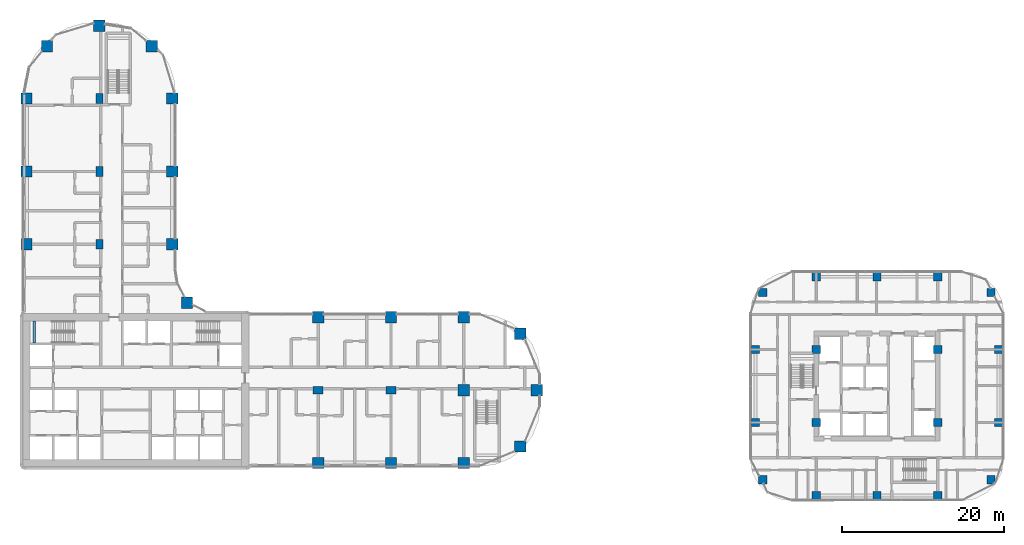
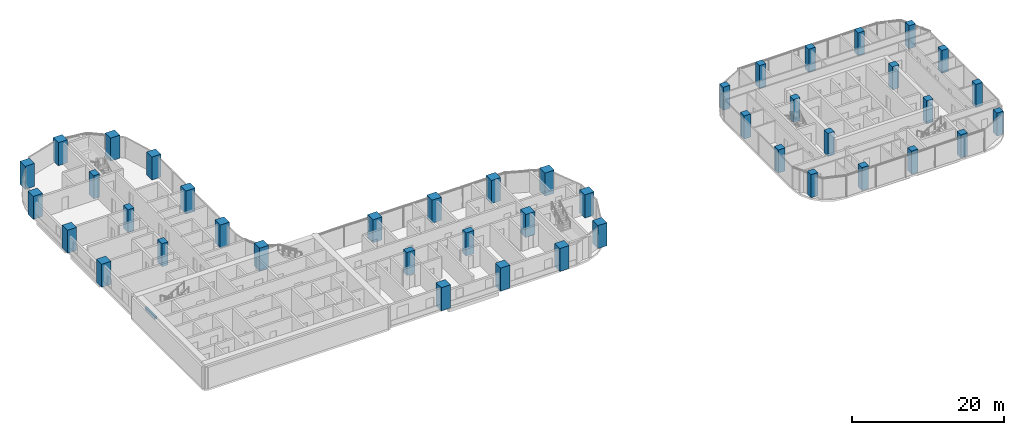
# One storey, part 1 of 31: 43 columns, 1 beam.
"""IFC4 building model written with IfcOpenShell, lengths in metres."""

from ifc_helpers import new_model, si_unit, direction, frame, origin, origin_2d, place, context, subcontext, project, spatial, rectangle, extrude, material, material_profile, profile_set, type_object, element, save


model = new_model("IFC4")

# Units and contexts
model_context = context("Model", 3, precision=1e-05, world=origin(), true_north=direction((0.0, 1.0)))
body_context = subcontext(model_context, "Body", "Model", "MODEL_VIEW")
ifc_project = project(units=[si_unit("LENGTHUNIT", "METRE"), si_unit("AREAUNIT", "SQUARE_METRE"), si_unit("VOLUMEUNIT", "CUBIC_METRE"), si_unit("PLANEANGLEUNIT", "RADIAN"), si_unit("MASSUNIT", "GRAM", prefix="KILO")], contexts=[model_context])

# Site, building, storey
site_placement = place(None, origin())
site = spatial("IfcSite", under=ifc_project, at=site_placement, CompositionType="ELEMENT")
building_placement = place(site_placement, origin())
building = spatial("IfcBuilding", under=site, at=building_placement, Name="Ogive Portal Towers", CompositionType="ELEMENT")
storey_placement = place(building_placement, frame((0.0, 0.0, 40.89990234375)))
storey = spatial("IfcBuildingStorey", under=building, at=storey_placement, Name="L08", CompositionType="ELEMENT", Elevation=40.89990234375)

# Columns
ifc_material_1 = material(Name="Concrete C60/75", Category="concrete")
ifc_material_profile_1 = material_profile(ifc_material_1, rectangle(XDim=1.0, YDim=1.0, at=origin_2d()), Name="RC 1000x1000")
ifc_profile_set_1 = profile_set([ifc_material_profile_1], Name="Concrete C60/75")
column_type_1 = type_object("IfcColumnType", Name="COLUMN RC 1000x1000", PredefinedType="COLUMN", material=ifc_profile_set_1)
for number, where, z_axis, x_axis, name in (
    (1, (129.0, 17.5, 0.0), (0.0, 0.0, 1.0), (1.0, 0.0, 0.0), "Column 12/H L08"),
    (2, (136.5, 17.5, 0.0), (0.0, 0.0, 1.0), (1.0, 0.0, 0.0), "Column 13/H L08"),
    (3, (144.0, 17.5, 0.0), (0.0, 0.0, 1.0), (1.0, 0.0, 0.0), "Column 14/H L08"),
    (4, (122.40087890625, 19.44189453125, 0.0), (0.0, 0.0, 1.0), (1.0, 0.0, 0.0), "Column L08"),
    (5, (150.59912109375, 19.44189453125, 0.0), (0.0, 0.0, 1.0), (1.0, 0.0, 0.0), "Column L08"),
    (6, (121.5, 26.5, 0.0), (0.0, 0.0, 1.0), (1.0, 0.0, 0.0), "Column 11/J L08"),
    (7, (129.0, 26.5, 0.0), (0.0, 0.0, 1.0), (1.0, 0.0, 0.0), "Column 12/J L08"),
    (8, (144.0, 26.5, 0.0), (0.0, 0.0, 1.0), (1.0, 0.0, 0.0), "Column 14/J L08"),
    (9, (151.5, 26.5, 0.0), (0.0, 0.0, 1.0), (1.0, 0.0, 0.0), "Column 15/J L08"),
    (10, (121.5, 35.5, 0.0), (0.0, 0.0, 1.0), (1.0, 0.0, 0.0), "Column 11/K L08"),
    (11, (129.0, 35.5, 0.0), (0.0, 0.0, 1.0), (1.0, 0.0, 0.0), "Column 12/K L08"),
    (12, (144.0, 35.5, 0.0), (0.0, 0.0, 1.0), (1.0, 0.0, 0.0), "Column 14/K L08"),
    (13, (151.5, 35.5, 0.0), (0.0, 0.0, 1.0), (1.0, 0.0, 0.0), "Column 15/K L08"),
    (14, (122.40087890625, 42.55810546875, 0.0), (0.0, 0.0, 1.0), (1.0, 0.0, 0.0), "Column L08"),
    (15, (150.59912109375, 42.55810546875, 0.0), (0.0, 0.0, 1.0), (1.0, 0.0, 0.0), "Column L08"),
    (16, (129.0, 44.5, 0.0), (0.0, 0.0, 1.0), (1.0, 0.0, 0.0), "Column 12/L L08"),
    (17, (136.5, 44.5, 0.0), (0.0, 0.0, 1.0), (1.0, 0.0, 0.0), "Column 13/L L08"),
    (18, (144.0, 44.5, 0.0), (0.0, 0.0, 1.0), (1.0, 0.0, 0.0), "Column 14/L L08"),
):
    element("IfcColumn", number, at=place(storey_placement, frame(where, z_axis=z_axis, x_axis=x_axis)), inside=storey, type_object=column_type_1, Name=name, PredefinedType="COLUMN", context=body_context, shape_type="SweptSolid", body=[
        extrude(rectangle(XDim=1.0, YDim=1.0, at=origin_2d()), origin(), (0.0, 0.0, 1.0), 3.7001953125),
    ])
ifc_material_profile_2 = material_profile(ifc_material_1, rectangle(XDim=1.199951171875, YDim=0.89990234375, at=origin_2d()), Name="RC 1200x900")
ifc_profile_set_2 = profile_set([ifc_material_profile_2], Name="Concrete C60/75")
column_type_2 = type_object("IfcColumnType", Name="COLUMN RC 1200x900", PredefinedType="COLUMN", material=ifc_profile_set_2)
for number, where, z_axis, x_axis, name in (
    (19, (67.5, 30.5, 0.0), (0.0, 0.0, 1.0), (1.0, 0.0, 0.0), "Column 5/B L08"),
    (20, (76.5, 30.5, 0.0), (0.0, 0.0, 1.0), (1.0, 0.0, 0.0), "Column 6/B L08"),
    (21, (40.5, 48.5, 0.0), (0.0, 0.0, 1.0), (0.0, 1.0, 0.0), "Column 2/D L08"),
    (22, (40.5, 57.5, 0.0), (0.0, 0.0, 1.0), (0.0, 1.0, 0.0), "Column 2/E L08"),
    (23, (40.5, 66.5, 0.0), (0.0, 0.0, 1.0), (0.0, 1.0, 0.0), "Column 2/F L08"),
):
    element("IfcColumn", number, at=place(storey_placement, frame(where, z_axis=z_axis, x_axis=x_axis)), inside=storey, type_object=column_type_2, Name=name, PredefinedType="COLUMN", context=body_context, shape_type="SweptSolid", body=[
        extrude(rectangle(XDim=1.199951171875, YDim=0.89990234375, at=origin_2d()), origin(), (0.0, 0.0, 1.0), 3.7001953125),
    ])
ifc_material_profile_3 = material_profile(ifc_material_1, rectangle(XDim=1.39990234375, YDim=1.39990234375, at=origin_2d()), Name="RC 1400x1400")
ifc_profile_set_3 = profile_set([ifc_material_profile_3], Name="Concrete C60/75")
column_type_3 = type_object("IfcColumnType", Name="COLUMN RC 1400x1400", PredefinedType="COLUMN", material=ifc_profile_set_3)
for number, where, z_axis, x_axis, name in (
    (24, (67.5, 21.5, 0.0), (0.0, 0.0, 1.0), (1.0, 0.0, 0.0), "Column 5/A L08"),
    (25, (76.5, 21.5, 0.0), (0.0, 0.0, 1.0), (1.0, 0.0, 0.0), "Column 6/A L08"),
    (26, (85.5, 21.5, 0.0), (0.0, 0.0, 1.0), (1.0, 0.0, 0.0), "Column 7/A L08"),
    (27, (92.449951171875, 23.550048828125, 0.0), (0.0, 0.0, 1.0), (1.0, 0.0, 0.0), "Column L08"),
    (28, (85.5, 30.5, 0.0), (0.0, 0.0, 1.0), (1.0, 0.0, 0.0), "Column 7/B L08"),
    (29, (94.5, 30.5, 0.0), (0.0, 0.0, 1.0), (1.0, 0.0, 0.0), "Column 8/B L08"),
    (30, (92.449951171875, 37.449951171875, 0.0), (0.0, 0.0, 1.0), (1.0, 0.0, 0.0), "Column L08"),
    (31, (67.5, 39.5, 0.0), (0.0, 0.0, 1.0), (1.0, 0.0, 0.0), "Column 5/C L08"),
    (32, (76.5, 39.5, 0.0), (0.0, 0.0, 1.0), (1.0, 0.0, 0.0), "Column 6/C L08"),
    (33, (85.5, 39.5, 0.0), (0.0, 0.0, 1.0), (1.0, 0.0, 0.0), "Column 7/C L08"),
    (34, (51.31005859375, 41.31005859375, 0.0), (0.0, 0.0, 1.0), (1.0, 0.0, 0.0), "Column L08"),
    (35, (31.5, 48.5, 0.0), (0.0, 0.0, 1.0), (1.0, 0.0, 0.0), "Column 1/D L08"),
    (36, (49.5, 48.5, 0.0), (0.0, 0.0, 1.0), (1.0, 0.0, 0.0), "Column 3/D L08"),
    (37, (31.5, 57.5, 0.0), (0.0, 0.0, 1.0), (1.0, 0.0, 0.0), "Column 1/E L08"),
    (38, (49.5, 57.5, 0.0), (0.0, 0.0, 1.0), (1.0, 0.0, 0.0), "Column 3/E L08"),
    (39, (31.5, 66.5, 0.0), (0.0, 0.0, 1.0), (1.0, 0.0, 0.0), "Column 1/F L08"),
    (40, (49.5, 66.5, 0.0), (0.0, 0.0, 1.0), (1.0, 0.0, 0.0), "Column 3/F L08"),
    (41, (34.027099609375, 72.972900390625, 0.0), (0.0, 0.0, 1.0), (1.0, 0.0, 0.0), "Column L08"),
    (42, (46.972900390625, 72.972900390625, 0.0), (0.0, 0.0, 1.0), (1.0, 0.0, 0.0), "Column L08"),
    (43, (40.5, 75.5, 0.0), (0.0, 0.0, 1.0), (1.0, 0.0, 0.0), "Column 2/G L08"),
):
    element("IfcColumn", number, at=place(storey_placement, frame(where, z_axis=z_axis, x_axis=x_axis)), inside=storey, type_object=column_type_3, Name=name, PredefinedType="COLUMN", context=body_context, shape_type="SweptSolid", body=[
        extrude(rectangle(XDim=1.39990234375, YDim=1.39990234375, at=origin_2d()), origin(), (0.0, 0.0, 1.0), 3.7001953125),
    ])

# Beam
ifc_material_2 = material(Name="Concrete C40/50", Category="concrete")
ifc_material_profile_4 = material_profile(ifc_material_2, rectangle(XDim=0.300048828125, YDim=0.39990234375, at=origin_2d()), Name="RC 300x400")
ifc_profile_set_4 = profile_set([ifc_material_profile_4], Name="Concrete C40/50")
beam_type = type_object("IfcBeamType", Name="BEAM RC 300x400", PredefinedType="BEAM", material=ifc_profile_set_4)
beam_placement = place(storey_placement, frame((32.449951171875, 36.35009765625, 1.4501953125), z_axis=(0.0, 1.0, 0.0), x_axis=(-1.0, 0.0, 0.0)))
element("IfcBeam", 44, at=beam_placement, inside=storey, type_object=beam_type, Name="Landing beam L08", PredefinedType="BEAM", context=body_context, shape_type="SweptSolid", body=[
    extrude(rectangle(XDim=0.300048828125, YDim=0.39990234375, at=origin_2d()), origin(), (0.0, 0.0, 1.0), 2.699951171875),
])

save(model, "model.ifc")
